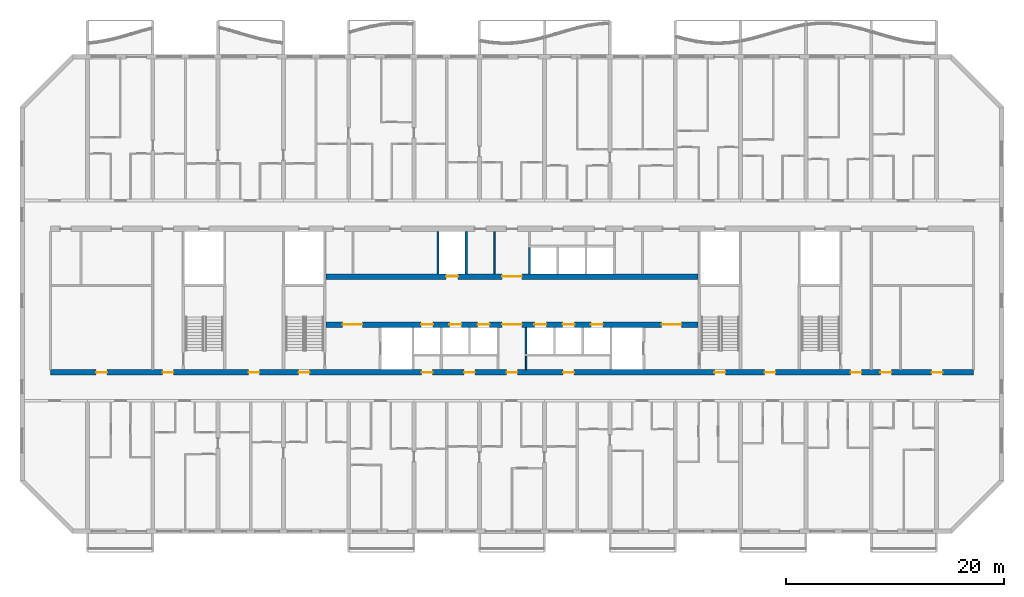
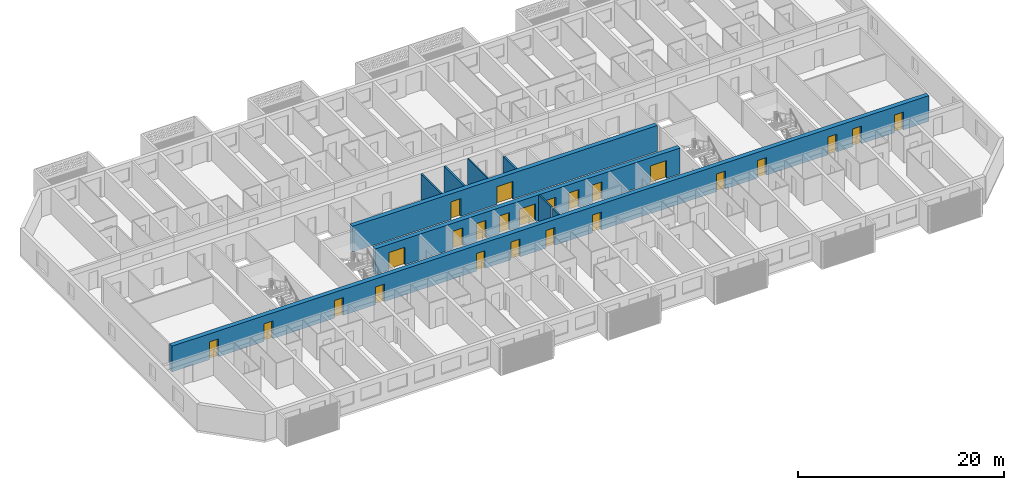
# One storey, part 7 of 27: 24 doors, 9 walls, 24 openings.
"""IFC4 building model written with IfcOpenShell, lengths in metres."""

from ifc_helpers import new_model, si_unit, direction, frame, frame_2d, origin, place, context, subcontext, project, spatial, rectangle, extrude, material, layer, layer_set, type_object, element, fill, save


model = new_model("IFC4")

# Units and contexts
model_context = context("Model", 3, precision=1e-05, world=origin(), true_north=direction((0.0, 1.0)))
body_context = subcontext(model_context, "Body", "Model", "MODEL_VIEW")
ifc_project = project(units=[si_unit("LENGTHUNIT", "METRE"), si_unit("AREAUNIT", "SQUARE_METRE"), si_unit("VOLUMEUNIT", "CUBIC_METRE"), si_unit("PLANEANGLEUNIT", "RADIAN"), si_unit("MASSUNIT", "GRAM", prefix="KILO")], contexts=[model_context])

# Site, building, storey
site_placement = place(None, origin())
site = spatial("IfcSite", under=ifc_project, at=site_placement, CompositionType="ELEMENT")
building_placement = place(site_placement, origin())
building = spatial("IfcBuilding", under=site, at=building_placement, Name="Poui Terraces", CompositionType="ELEMENT")
storey_placement = place(building_placement, frame((0.0, 0.0, 92.699951171875)))
storey = spatial("IfcBuildingStorey", under=building, at=storey_placement, Name="L25", CompositionType="ELEMENT", Elevation=92.699951171875)

# Wall, openings, doors
ifc_material_1 = material(Name="Concrete 65 MPa", Category="concrete")
ifc_layer_1 = layer(ifc_material_1, 0.5)
ifc_layer_set_1 = layer_set([ifc_layer_1], Name="Concrete 65 MPa")
wall_type_1 = type_object("IfcWallType", Name="CORE WALL 500 65 MPA", PredefinedType="SOLIDWALL", material=ifc_layer_set_1)
wall_1_placement = place(storey_placement, frame((33.925048828125, 19.0, 0.0), z_axis=(0.0, 0.0, 1.0), x_axis=(1.0, 0.0, 0.0)))
wall_1 = element("IfcWall", 1, at=wall_1_placement, inside=storey, type_object=wall_type_1, Name="CORE WALL", PredefinedType="SOLIDWALL", context=body_context, shape_type="SweptSolid", body=[
    extrude(rectangle(XDim=34.14990234375, YDim=0.5, at=frame_2d((17.074951171875, 0.0))), origin(), (0.0, 0.0, 1.0), 3.06005859375),
])
opening_1_placement = place(wall_1_placement, frame((16.175048828125, 0.0, 0.0)))
opening_1 = element("IfcOpeningElement", 2, at=opening_1_placement, cuts=wall_1, Name="Opening FDD60", PredefinedType="OPENING", context=body_context, shape_type="SweptSolid", body=[
    extrude(rectangle(XDim=1.800048828125, YDim=2.10009765625, at=frame_2d((0.89990234375, 1.050048828125))), frame((0.0, 0.260009765625, 0.0), z_axis=(0.0, -1.0, 0.0), x_axis=(1.0, 0.0, 0.0)), (0.0, 0.0, 1.0), 0.52001953125),
])
opening_2_placement = place(wall_1_placement, frame((1.52490234375, 0.0, 0.0)))
opening_2 = element("IfcOpeningElement", 3, at=opening_2_placement, cuts=wall_1, Name="Opening FDD60", PredefinedType="OPENING", context=body_context, shape_type="SweptSolid", body=[
    extrude(rectangle(XDim=1.800048828125, YDim=2.10009765625, at=frame_2d((0.89990234375, 1.050048828125))), frame((0.0, 0.260009765625, 0.0), z_axis=(0.0, -1.0, 0.0), x_axis=(1.0, 0.0, 0.0)), (0.0, 0.0, 1.0), 0.52001953125),
])
opening_3_placement = place(wall_1_placement, frame((8.72509765625, 0.0, 0.0)))
opening_3 = element("IfcOpeningElement", 4, at=opening_3_placement, cuts=wall_1, Name="Opening LD", PredefinedType="OPENING", context=body_context, shape_type="SweptSolid", body=[
    extrude(rectangle(XDim=1.10009765625, YDim=2.10009765625, at=frame_2d((0.550048828125, 1.050048828125))), frame((0.0, 0.260009765625, 0.0), z_axis=(0.0, -1.0, 0.0), x_axis=(1.0, 0.0, 0.0)), (0.0, 0.0, 1.0), 0.52001953125),
])
opening_4_placement = place(wall_1_placement, frame((11.324951171875, 0.0, 0.0)))
opening_4 = element("IfcOpeningElement", 5, at=opening_4_placement, cuts=wall_1, Name="Opening LD", PredefinedType="OPENING", context=body_context, shape_type="SweptSolid", body=[
    extrude(rectangle(XDim=1.10009765625, YDim=2.10009765625, at=frame_2d((0.550048828125, 1.050048828125))), frame((0.0, 0.260009765625, 0.0), z_axis=(0.0, -1.0, 0.0), x_axis=(1.0, 0.0, 0.0)), (0.0, 0.0, 1.0), 0.52001953125),
])
opening_5_placement = place(wall_1_placement, frame((13.925048828125, 0.0, 0.0)))
opening_5 = element("IfcOpeningElement", 6, at=opening_5_placement, cuts=wall_1, Name="Opening LD", PredefinedType="OPENING", context=body_context, shape_type="SweptSolid", body=[
    extrude(rectangle(XDim=1.10009765625, YDim=2.10009765625, at=frame_2d((0.550048828125, 1.050048828125))), frame((0.0, 0.260009765625, 0.0), z_axis=(0.0, -1.0, 0.0), x_axis=(1.0, 0.0, 0.0)), (0.0, 0.0, 1.0), 0.52001953125),
])
opening_6_placement = place(wall_1_placement, frame((19.125, 0.0, 0.0)))
opening_6 = element("IfcOpeningElement", 7, at=opening_6_placement, cuts=wall_1, Name="Opening LD", PredefinedType="OPENING", context=body_context, shape_type="SweptSolid", body=[
    extrude(rectangle(XDim=1.10009765625, YDim=2.10009765625, at=frame_2d((0.550048828125, 1.050048828125))), frame((0.0, 0.260009765625, 0.0), z_axis=(0.0, -1.0, 0.0), x_axis=(1.0, 0.0, 0.0)), (0.0, 0.0, 1.0), 0.52001953125),
])
opening_7_placement = place(wall_1_placement, frame((21.72509765625, 0.0, 0.0)))
opening_7 = element("IfcOpeningElement", 8, at=opening_7_placement, cuts=wall_1, Name="Opening LD", PredefinedType="OPENING", context=body_context, shape_type="SweptSolid", body=[
    extrude(rectangle(XDim=1.10009765625, YDim=2.10009765625, at=frame_2d((0.550048828125, 1.050048828125))), frame((0.0, 0.260009765625, 0.0), z_axis=(0.0, -1.0, 0.0), x_axis=(1.0, 0.0, 0.0)), (0.0, 0.0, 1.0), 0.52001953125),
])
opening_8_placement = place(wall_1_placement, frame((24.324951171875, 0.0, 0.0)))
opening_8 = element("IfcOpeningElement", 9, at=opening_8_placement, cuts=wall_1, Name="Opening LD", PredefinedType="OPENING", context=body_context, shape_type="SweptSolid", body=[
    extrude(rectangle(XDim=1.10009765625, YDim=2.10009765625, at=frame_2d((0.550048828125, 1.050048828125))), frame((0.0, 0.260009765625, 0.0), z_axis=(0.0, -1.0, 0.0), x_axis=(1.0, 0.0, 0.0)), (0.0, 0.0, 1.0), 0.52001953125),
])
opening_9_placement = place(wall_1_placement, frame((30.824951171875, 0.0, 0.0)))
opening_9 = element("IfcOpeningElement", 10, at=opening_9_placement, cuts=wall_1, Name="Opening FDD60", PredefinedType="OPENING", context=body_context, shape_type="SweptSolid", body=[
    extrude(rectangle(XDim=1.800048828125, YDim=2.10009765625, at=frame_2d((0.89990234375, 1.050048828125))), frame((0.0, 0.260009765625, 0.0), z_axis=(0.0, -1.0, 0.0), x_axis=(1.0, 0.0, 0.0)), (0.0, 0.0, 1.0), 0.52001953125),
])
ifc_material_2 = material(Name="Steel fire door", Category="steel")
door_type_1 = type_object("IfcDoorType", Name="DOUBLE LOBBY FIRE DOOR 1800 X 2100", OperationType="DOUBLE_DOOR_SINGLE_SWING", PredefinedType="DOOR", material=ifc_material_2)
door_1_placement = place(opening_1_placement, frame((1.800048828125, 0.0, 0.0), z_axis=(0.0, 0.0, 1.0), x_axis=(-1.0, 0.0, 0.0)))
door_1 = element("IfcDoor", 11, at=door_1_placement, inside=storey, type_object=door_type_1, Name="DOUBLE LOBBY FIRE DOOR 137", OperationType="DOUBLE_DOOR_SINGLE_SWING", OverallHeight=2.10009765625, OverallWidth=1.800048828125, PredefinedType="DOOR", context=body_context, shape_type="SweptSolid", body=[
    extrude(rectangle(XDim=1.800048828125, YDim=2.10009765625, at=frame_2d((0.89990234375, 1.050048828125))), frame((0.0, 0.02490234375, 0.0), z_axis=(0.0, -1.0, 0.0), x_axis=(1.0, 0.0, 0.0)), (0.0, 0.0, 1.0), 0.050048828125),
])
fill(opening_1, door_1)
door_2_placement = place(opening_2_placement, origin())
door_2 = element("IfcDoor", 12, at=door_2_placement, inside=storey, type_object=door_type_1, Name="DOUBLE LOBBY FIRE DOOR 138", OperationType="DOUBLE_DOOR_SINGLE_SWING", OverallHeight=2.10009765625, OverallWidth=1.800048828125, PredefinedType="DOOR", context=body_context, shape_type="SweptSolid", body=[
    extrude(rectangle(XDim=1.800048828125, YDim=2.10009765625, at=frame_2d((0.89990234375, 1.050048828125))), frame((0.0, 0.02490234375, 0.0), z_axis=(0.0, -1.0, 0.0), x_axis=(1.0, 0.0, 0.0)), (0.0, 0.0, 1.0), 0.050048828125),
])
fill(opening_2, door_2)
door_3_placement = place(opening_9_placement, origin())
door_3 = element("IfcDoor", 13, at=door_3_placement, inside=storey, type_object=door_type_1, Name="DOUBLE LOBBY FIRE DOOR 146", OperationType="DOUBLE_DOOR_SINGLE_SWING", OverallHeight=2.10009765625, OverallWidth=1.800048828125, PredefinedType="DOOR", context=body_context, shape_type="SweptSolid", body=[
    extrude(rectangle(XDim=1.800048828125, YDim=2.10009765625, at=frame_2d((0.89990234375, 1.050048828125))), frame((0.0, 0.02490234375, 0.0), z_axis=(0.0, -1.0, 0.0), x_axis=(1.0, 0.0, 0.0)), (0.0, 0.0, 1.0), 0.050048828125),
])
fill(opening_9, door_3)
ifc_material_3 = material(Name="Stainless steel sliding door", Category="steel")
door_type_2 = type_object("IfcDoorType", Name="LIFT LANDING DOOR 1100 X 2100", OperationType="DOUBLE_DOOR_SLIDING", PredefinedType="DOOR", material=ifc_material_3)
door_4_placement = place(opening_3_placement, origin())
door_4 = element("IfcDoor", 14, at=door_4_placement, inside=storey, type_object=door_type_2, Name="LANDING DOOR", OperationType="DOUBLE_DOOR_SLIDING", OverallHeight=2.10009765625, OverallWidth=1.10009765625, PredefinedType="DOOR", context=body_context, shape_type="SweptSolid", body=[
    extrude(rectangle(XDim=1.10009765625, YDim=2.10009765625, at=frame_2d((0.550048828125, 1.050048828125))), frame((0.0, 0.02490234375, 0.0), z_axis=(0.0, -1.0, 0.0), x_axis=(1.0, 0.0, 0.0)), (0.0, 0.0, 1.0), 0.050048828125),
])
fill(opening_3, door_4)
door_5_placement = place(opening_4_placement, origin())
door_5 = element("IfcDoor", 15, at=door_5_placement, inside=storey, type_object=door_type_2, Name="LANDING DOOR", OperationType="DOUBLE_DOOR_SLIDING", OverallHeight=2.10009765625, OverallWidth=1.10009765625, PredefinedType="DOOR", context=body_context, shape_type="SweptSolid", body=[
    extrude(rectangle(XDim=1.10009765625, YDim=2.10009765625, at=frame_2d((0.550048828125, 1.050048828125))), frame((0.0, 0.02490234375, 0.0), z_axis=(0.0, -1.0, 0.0), x_axis=(1.0, 0.0, 0.0)), (0.0, 0.0, 1.0), 0.050048828125),
])
fill(opening_4, door_5)
door_6_placement = place(opening_5_placement, origin())
door_6 = element("IfcDoor", 16, at=door_6_placement, inside=storey, type_object=door_type_2, Name="LANDING DOOR", OperationType="DOUBLE_DOOR_SLIDING", OverallHeight=2.10009765625, OverallWidth=1.10009765625, PredefinedType="DOOR", context=body_context, shape_type="SweptSolid", body=[
    extrude(rectangle(XDim=1.10009765625, YDim=2.10009765625, at=frame_2d((0.550048828125, 1.050048828125))), frame((0.0, 0.02490234375, 0.0), z_axis=(0.0, -1.0, 0.0), x_axis=(1.0, 0.0, 0.0)), (0.0, 0.0, 1.0), 0.050048828125),
])
fill(opening_5, door_6)
door_7_placement = place(opening_6_placement, origin())
door_7 = element("IfcDoor", 17, at=door_7_placement, inside=storey, type_object=door_type_2, Name="LANDING DOOR", OperationType="DOUBLE_DOOR_SLIDING", OverallHeight=2.10009765625, OverallWidth=1.10009765625, PredefinedType="DOOR", context=body_context, shape_type="SweptSolid", body=[
    extrude(rectangle(XDim=1.10009765625, YDim=2.10009765625, at=frame_2d((0.550048828125, 1.050048828125))), frame((0.0, 0.02490234375, 0.0), z_axis=(0.0, -1.0, 0.0), x_axis=(1.0, 0.0, 0.0)), (0.0, 0.0, 1.0), 0.050048828125),
])
fill(opening_6, door_7)
door_8_placement = place(opening_7_placement, origin())
door_8 = element("IfcDoor", 18, at=door_8_placement, inside=storey, type_object=door_type_2, Name="LANDING DOOR", OperationType="DOUBLE_DOOR_SLIDING", OverallHeight=2.10009765625, OverallWidth=1.10009765625, PredefinedType="DOOR", context=body_context, shape_type="SweptSolid", body=[
    extrude(rectangle(XDim=1.10009765625, YDim=2.10009765625, at=frame_2d((0.550048828125, 1.050048828125))), frame((0.0, 0.02490234375, 0.0), z_axis=(0.0, -1.0, 0.0), x_axis=(1.0, 0.0, 0.0)), (0.0, 0.0, 1.0), 0.050048828125),
])
fill(opening_7, door_8)
door_9_placement = place(opening_8_placement, origin())
door_9 = element("IfcDoor", 19, at=door_9_placement, inside=storey, type_object=door_type_2, Name="LANDING DOOR", OperationType="DOUBLE_DOOR_SLIDING", OverallHeight=2.10009765625, OverallWidth=1.10009765625, PredefinedType="DOOR", context=body_context, shape_type="SweptSolid", body=[
    extrude(rectangle(XDim=1.10009765625, YDim=2.10009765625, at=frame_2d((0.550048828125, 1.050048828125))), frame((0.0, 0.02490234375, 0.0), z_axis=(0.0, -1.0, 0.0), x_axis=(1.0, 0.0, 0.0)), (0.0, 0.0, 1.0), 0.050048828125),
])
fill(opening_8, door_9)

wall_2_placement = place(storey_placement, frame((33.925048828125, 23.39990234375, 0.0), z_axis=(0.0, 0.0, 1.0), x_axis=(1.0, 0.0, 0.0)))
wall_2 = element("IfcWall", 20, at=wall_2_placement, inside=storey, type_object=wall_type_1, Name="CORE WALL", PredefinedType="SOLIDWALL", context=body_context, shape_type="SweptSolid", body=[
    extrude(rectangle(XDim=34.14990234375, YDim=0.5, at=frame_2d((17.074951171875, 0.0))), origin(), (0.0, 0.0, 1.0), 3.06005859375),
])
opening_10_placement = place(wall_2_placement, frame((16.175048828125, 0.0, 0.0)))
opening_10 = element("IfcOpeningElement", 21, at=opening_10_placement, cuts=wall_2, Name="Opening FDD60", PredefinedType="OPENING", context=body_context, shape_type="SweptSolid", body=[
    extrude(rectangle(XDim=1.800048828125, YDim=2.10009765625, at=frame_2d((0.89990234375, 1.050048828125))), frame((0.0, 0.260009765625, 0.0), z_axis=(0.0, -1.0, 0.0), x_axis=(1.0, 0.0, 0.0)), (0.0, 0.0, 1.0), 0.52001953125),
])
opening_11_placement = place(wall_2_placement, frame((11.02490234375, 0.0, 0.0)))
opening_11 = element("IfcOpeningElement", 22, at=opening_11_placement, cuts=wall_2, Name="Opening LD", PredefinedType="OPENING", context=body_context, shape_type="SweptSolid", body=[
    extrude(rectangle(XDim=1.10009765625, YDim=2.10009765625, at=frame_2d((0.550048828125, 1.050048828125))), frame((0.0, 0.260009765625, 0.0), z_axis=(0.0, -1.0, 0.0), x_axis=(1.0, 0.0, 0.0)), (0.0, 0.0, 1.0), 0.52001953125),
])
door_10_placement = place(opening_10_placement, origin())
door_10 = element("IfcDoor", 23, at=door_10_placement, inside=storey, type_object=door_type_1, Name="DOUBLE LOBBY FIRE DOOR 136", OperationType="DOUBLE_DOOR_SINGLE_SWING", OverallHeight=2.10009765625, OverallWidth=1.800048828125, PredefinedType="DOOR", context=body_context, shape_type="SweptSolid", body=[
    extrude(rectangle(XDim=1.800048828125, YDim=2.10009765625, at=frame_2d((0.89990234375, 1.050048828125))), frame((0.0, 0.02490234375, 0.0), z_axis=(0.0, -1.0, 0.0), x_axis=(1.0, 0.0, 0.0)), (0.0, 0.0, 1.0), 0.050048828125),
])
fill(opening_10, door_10)
door_11_placement = place(opening_11_placement, origin())
door_11 = element("IfcDoor", 24, at=door_11_placement, inside=storey, type_object=door_type_2, Name="LANDING DOOR", OperationType="DOUBLE_DOOR_SLIDING", OverallHeight=2.10009765625, OverallWidth=1.10009765625, PredefinedType="DOOR", context=body_context, shape_type="SweptSolid", body=[
    extrude(rectangle(XDim=1.10009765625, YDim=2.10009765625, at=frame_2d((0.550048828125, 1.050048828125))), frame((0.0, 0.02490234375, 0.0), z_axis=(0.0, -1.0, 0.0), x_axis=(1.0, 0.0, 0.0)), (0.0, 0.0, 1.0), 0.050048828125),
])
fill(opening_11, door_11)

# Walls
ifc_material_4 = material(Name="Fire-rated plasterboard wall")
ifc_layer_2 = layer(ifc_material_4, 0.14990234375)
ifc_layer_set_2 = layer_set([ifc_layer_2], Name="Fire-rated plasterboard wall")
wall_type_2 = type_object("IfcWallType", Name="CORRIDOR WALL 150", PredefinedType="PARTITIONING", material=ifc_layer_set_2)
wall_3_placement = place(storey_placement, frame((49.39990234375, 23.659912109375, 0.0), z_axis=(0.0, 0.0, 1.0), x_axis=(0.0, 1.0, 0.0)))
element("IfcWall", 25, at=wall_3_placement, inside=storey, type_object=wall_type_2, Name="CORRIDOR WALL 150", PredefinedType="PARTITIONING", context=body_context, shape_type="SweptSolid", body=[
    extrude(rectangle(XDim=3.880126953125, YDim=0.14990234375, at=frame_2d((1.93994140625, 0.0))), origin(), (0.0, 0.0, 1.0), 3.06005859375),
])
wall_4_placement = place(storey_placement, frame((52.300048828125, 14.860107421875, 0.0), z_axis=(0.0, 0.0, 1.0), x_axis=(0.0, 1.0, 0.0)))
element("IfcWall", 26, at=wall_4_placement, inside=storey, type_object=wall_type_2, Name="CORRIDOR WALL 150", PredefinedType="PARTITIONING", context=body_context, shape_type="SweptSolid", body=[
    extrude(rectangle(XDim=1.239990234375, YDim=0.14990234375, at=frame_2d((0.6201171875, 0.0))), origin(), (0.0, 0.0, 1.0), 3.06005859375),
])
ifc_material_5 = material(Name="Fire-rated masonry shaft wall", Category="masonry")
ifc_layer_3 = layer(ifc_material_5, 0.199951171875)
ifc_layer_set_3 = layer_set([ifc_layer_3], Name="Fire-rated masonry shaft wall")
wall_type_3 = type_object("IfcWallType", Name="SHAFT WALL 200", PredefinedType="PARTITIONING", material=ifc_layer_set_3)
for number, where, z_axis, x_axis, name in (
    (27, (44.199951171875, 23.659912109375, 0.0), (0.0, 0.0, 1.0), (0.0, 1.0, 0.0), "SHAFT WALL 200"),
    (28, (46.800048828125, 23.659912109375, 0.0), (0.0, 0.0, 1.0), (0.0, 1.0, 0.0), "SHAFT WALL 200"),
):
    element("IfcWall", number, at=place(storey_placement, frame(where, z_axis=z_axis, x_axis=x_axis)), inside=storey, type_object=wall_type_3, Name=name, PredefinedType="PARTITIONING", context=body_context, shape_type="SweptSolid", body=[
        extrude(rectangle(XDim=3.880126953125, YDim=0.199951171875, at=frame_2d((1.93994140625, 0.0))), origin(), (0.0, 0.0, 1.0), 3.06005859375),
    ])
wall_5_placement = place(storey_placement, frame((52.300048828125, 16.300048828125, 0.0), z_axis=(0.0, 0.0, 1.0), x_axis=(0.0, 1.0, 0.0)))
element("IfcWall", 29, at=wall_5_placement, inside=storey, type_object=wall_type_3, Name="SHAFT WALL 200", PredefinedType="PARTITIONING", context=body_context, shape_type="SweptSolid", body=[
    extrude(rectangle(XDim=2.43994140625, YDim=0.199951171875, at=frame_2d((1.219970703125, 0.0))), origin(), (0.0, 0.0, 1.0), 3.06005859375),
])
wall_6_placement = place(storey_placement, frame((52.60009765625, 23.659912109375, 0.0), z_axis=(0.0, 0.0, 1.0), x_axis=(0.0, 1.0, 0.0)))
element("IfcWall", 30, at=wall_6_placement, inside=storey, type_object=wall_type_3, Name="SHAFT WALL 200", PredefinedType="PARTITIONING", context=body_context, shape_type="SweptSolid", body=[
    extrude(rectangle(XDim=2.440185546875, YDim=0.199951171875, at=frame_2d((1.22021484375, 0.0))), origin(), (0.0, 0.0, 1.0), 3.06005859375),
])

# Wall, openings, doors
ifc_layer_4 = layer(ifc_material_1, 0.5)
ifc_layer_set_4 = layer_set([ifc_layer_4], Name="Concrete 65 MPa")
wall_type_4 = type_object("IfcWallType", Name="SPINE WALL 500 65 MPA", PredefinedType="SOLIDWALL", material=ifc_layer_set_4)
wall_7_placement = place(storey_placement, frame((8.60009765625, 14.60009765625, 0.0), z_axis=(0.0, 0.0, 1.0), x_axis=(1.0, 0.0, 0.0)))
wall_7 = element("IfcWall", 31, at=wall_7_placement, inside=storey, type_object=wall_type_4, Name="SPINE WALL", PredefinedType="SOLIDWALL", context=body_context, shape_type="SweptSolid", body=[
    extrude(rectangle(XDim=84.7998046875, YDim=0.5, at=frame_2d((42.39990234375, 0.0))), origin(), (0.0, 0.0, 1.0), 3.06005859375),
])
opening_12_placement = place(wall_7_placement, frame((4.199951171875, 0.0, 0.0)))
opening_12 = element("IfcOpeningElement", 32, at=opening_12_placement, cuts=wall_7, Name="Opening FD60", PredefinedType="OPENING", context=body_context, shape_type="SweptSolid", body=[
    extrude(rectangle(XDim=1.0, YDim=2.10009765625, at=frame_2d((0.5, 1.050048828125))), frame((0.0, 0.260009765625, 0.0), z_axis=(0.0, -1.0, 0.0), x_axis=(1.0, 0.0, 0.0)), (0.0, 0.0, 1.0), 0.52001953125),
])
opening_13_placement = place(wall_7_placement, frame((10.300048828125, 0.0, 0.0)))
opening_13 = element("IfcOpeningElement", 33, at=opening_13_placement, cuts=wall_7, Name="Opening FDL", PredefinedType="OPENING", context=body_context, shape_type="SweptSolid", body=[
    extrude(rectangle(XDim=1.0, YDim=2.10009765625, at=frame_2d((0.5, 1.050048828125))), frame((0.0, 0.260009765625, 0.0), z_axis=(0.0, -1.0, 0.0), x_axis=(1.0, 0.0, 0.0)), (0.0, 0.0, 1.0), 0.52001953125),
])
opening_14_placement = place(wall_7_placement, frame((18.199951171875, 0.0, 0.0)))
opening_14 = element("IfcOpeningElement", 34, at=opening_14_placement, cuts=wall_7, Name="Opening D100", PredefinedType="OPENING", context=body_context, shape_type="SweptSolid", body=[
    extrude(rectangle(XDim=1.0, YDim=2.10009765625, at=frame_2d((0.5, 1.050048828125))), frame((0.0, 0.260009765625, 0.0), z_axis=(0.0, -1.0, 0.0), x_axis=(1.0, 0.0, 0.0)), (0.0, 0.0, 1.0), 0.52001953125),
])
opening_15_placement = place(wall_7_placement, frame((22.800048828125, 0.0, 0.0)))
opening_15 = element("IfcOpeningElement", 35, at=opening_15_placement, cuts=wall_7, Name="Opening FD60S", PredefinedType="OPENING", context=body_context, shape_type="SweptSolid", body=[
    extrude(rectangle(XDim=1.0, YDim=2.10009765625, at=frame_2d((0.5, 1.050048828125))), frame((0.0, 0.260009765625, 0.0), z_axis=(0.0, -1.0, 0.0), x_axis=(1.0, 0.0, 0.0)), (0.0, 0.0, 1.0), 0.52001953125),
])
opening_16_placement = place(wall_7_placement, frame((34.10009765625, 0.0, 0.0)))
opening_16 = element("IfcOpeningElement", 36, at=opening_16_placement, cuts=wall_7, Name="Opening FD60", PredefinedType="OPENING", context=body_context, shape_type="SweptSolid", body=[
    extrude(rectangle(XDim=1.0, YDim=2.10009765625, at=frame_2d((0.5, 1.050048828125))), frame((0.0, 0.260009765625, 0.0), z_axis=(0.0, -1.0, 0.0), x_axis=(1.0, 0.0, 0.0)), (0.0, 0.0, 1.0), 0.52001953125),
])
opening_17_placement = place(wall_7_placement, frame((38.0, 0.0, 0.0)))
opening_17 = element("IfcOpeningElement", 37, at=opening_17_placement, cuts=wall_7, Name="Opening FD60", PredefinedType="OPENING", context=body_context, shape_type="SweptSolid", body=[
    extrude(rectangle(XDim=1.0, YDim=2.10009765625, at=frame_2d((0.5, 1.050048828125))), frame((0.0, 0.260009765625, 0.0), z_axis=(0.0, -1.0, 0.0), x_axis=(1.0, 0.0, 0.0)), (0.0, 0.0, 1.0), 0.52001953125),
])
opening_18_placement = place(wall_7_placement, frame((41.89990234375, 0.0, 0.0)))
opening_18 = element("IfcOpeningElement", 38, at=opening_18_placement, cuts=wall_7, Name="Opening FDL", PredefinedType="OPENING", context=body_context, shape_type="SweptSolid", body=[
    extrude(rectangle(XDim=1.0, YDim=2.10009765625, at=frame_2d((0.5, 1.050048828125))), frame((0.0, 0.260009765625, 0.0), z_axis=(0.0, -1.0, 0.0), x_axis=(1.0, 0.0, 0.0)), (0.0, 0.0, 1.0), 0.52001953125),
])
opening_19_placement = place(wall_7_placement, frame((47.10009765625, 0.0, 0.0)))
opening_19 = element("IfcOpeningElement", 39, at=opening_19_placement, cuts=wall_7, Name="Opening FD60", PredefinedType="OPENING", context=body_context, shape_type="SweptSolid", body=[
    extrude(rectangle(XDim=1.0, YDim=2.10009765625, at=frame_2d((0.5, 1.050048828125))), frame((0.0, 0.260009765625, 0.0), z_axis=(0.0, -1.0, 0.0), x_axis=(1.0, 0.0, 0.0)), (0.0, 0.0, 1.0), 0.52001953125),
])
opening_20_placement = place(wall_7_placement, frame((61.0, 0.0, 0.0)))
opening_20 = element("IfcOpeningElement", 40, at=opening_20_placement, cuts=wall_7, Name="Opening FD60S", PredefinedType="OPENING", context=body_context, shape_type="SweptSolid", body=[
    extrude(rectangle(XDim=1.0, YDim=2.10009765625, at=frame_2d((0.5, 1.050048828125))), frame((0.0, 0.260009765625, 0.0), z_axis=(0.0, -1.0, 0.0), x_axis=(1.0, 0.0, 0.0)), (0.0, 0.0, 1.0), 0.52001953125),
])
opening_21_placement = place(wall_7_placement, frame((65.60009765625, 0.0, 0.0)))
opening_21 = element("IfcOpeningElement", 41, at=opening_21_placement, cuts=wall_7, Name="Opening D100", PredefinedType="OPENING", context=body_context, shape_type="SweptSolid", body=[
    extrude(rectangle(XDim=1.0, YDim=2.10009765625, at=frame_2d((0.5, 1.050048828125))), frame((0.0, 0.260009765625, 0.0), z_axis=(0.0, -1.0, 0.0), x_axis=(1.0, 0.0, 0.0)), (0.0, 0.0, 1.0), 0.52001953125),
])
opening_22_placement = place(wall_7_placement, frame((73.5, 0.0, 0.0)))
opening_22 = element("IfcOpeningElement", 42, at=opening_22_placement, cuts=wall_7, Name="Opening FDL", PredefinedType="OPENING", context=body_context, shape_type="SweptSolid", body=[
    extrude(rectangle(XDim=1.0, YDim=2.10009765625, at=frame_2d((0.5, 1.050048828125))), frame((0.0, 0.260009765625, 0.0), z_axis=(0.0, -1.0, 0.0), x_axis=(1.0, 0.0, 0.0)), (0.0, 0.0, 1.0), 0.52001953125),
])
opening_23_placement = place(wall_7_placement, frame((76.25, 0.0, 0.0)))
opening_23 = element("IfcOpeningElement", 43, at=opening_23_placement, cuts=wall_7, Name="Opening FD60", PredefinedType="OPENING", context=body_context, shape_type="SweptSolid", body=[
    extrude(rectangle(XDim=1.0, YDim=2.10009765625, at=frame_2d((0.5, 1.050048828125))), frame((0.0, 0.260009765625, 0.0), z_axis=(0.0, -1.0, 0.0), x_axis=(1.0, 0.0, 0.0)), (0.0, 0.0, 1.0), 0.52001953125),
])
opening_24_placement = place(wall_7_placement, frame((80.949951171875, 0.0, 0.0)))
opening_24 = element("IfcOpeningElement", 44, at=opening_24_placement, cuts=wall_7, Name="Opening FD60", PredefinedType="OPENING", context=body_context, shape_type="SweptSolid", body=[
    extrude(rectangle(XDim=1.0, YDim=2.10009765625, at=frame_2d((0.5, 1.050048828125))), frame((0.0, 0.260009765625, 0.0), z_axis=(0.0, -1.0, 0.0), x_axis=(1.0, 0.0, 0.0)), (0.0, 0.0, 1.0), 0.52001953125),
])
ifc_material_6 = material(Name="Solid core timber door", Category="wood")
door_type_3 = type_object("IfcDoorType", Name="ACCESSIBLE INTERNAL DOOR 1000 X 2100", OperationType="NOTDEFINED", PredefinedType="DOOR", material=ifc_material_6)
door_12_placement = place(opening_14_placement, frame((1.0, 0.0, 0.0), z_axis=(0.0, 0.0, 1.0), x_axis=(-1.0, 0.0, 0.0)))
door_12 = element("IfcDoor", 45, at=door_12_placement, inside=storey, type_object=door_type_3, Name="ACCESSIBLE INTERNAL DOOR 020", OperationType="SINGLE_SWING_LEFT", OverallHeight=2.10009765625, OverallWidth=1.0, PredefinedType="DOOR", context=body_context, shape_type="SweptSolid", body=[
    extrude(rectangle(XDim=1.0, YDim=2.10009765625, at=frame_2d((0.5, 1.050048828125))), frame((0.0, 0.02490234375, 0.0), z_axis=(0.0, -1.0, 0.0), x_axis=(1.0, 0.0, 0.0)), (0.0, 0.0, 1.0), 0.050048828125),
])
fill(opening_14, door_12)
door_13_placement = place(opening_21_placement, frame((1.0, 0.0, 0.0), z_axis=(0.0, 0.0, 1.0), x_axis=(-1.0, 0.0, 0.0)))
door_13 = element("IfcDoor", 46, at=door_13_placement, inside=storey, type_object=door_type_3, Name="ACCESSIBLE INTERNAL DOOR 027", OperationType="SINGLE_SWING_RIGHT", OverallHeight=2.10009765625, OverallWidth=1.0, PredefinedType="DOOR", context=body_context, shape_type="SweptSolid", body=[
    extrude(rectangle(XDim=1.0, YDim=2.10009765625, at=frame_2d((0.5, 1.050048828125))), frame((0.0, 0.02490234375, 0.0), z_axis=(0.0, -1.0, 0.0), x_axis=(1.0, 0.0, 0.0)), (0.0, 0.0, 1.0), 0.050048828125),
])
fill(opening_21, door_13)
door_type_4 = type_object("IfcDoorType", Name="LOBBY FIRE DOOR 1000 X 2100", OperationType="NOTDEFINED", PredefinedType="DOOR", material=ifc_material_2)
door_14_placement = place(opening_13_placement, frame((1.0, 0.0, 0.0), z_axis=(0.0, 0.0, 1.0), x_axis=(-1.0, 0.0, 0.0)))
door_14 = element("IfcDoor", 47, at=door_14_placement, inside=storey, type_object=door_type_4, Name="LOBBY FIRE DOOR 019", OperationType="SINGLE_SWING_RIGHT", OverallHeight=2.10009765625, OverallWidth=1.0, PredefinedType="DOOR", context=body_context, shape_type="SweptSolid", body=[
    extrude(rectangle(XDim=1.0, YDim=2.10009765625, at=frame_2d((0.5, 1.050048828125))), frame((0.0, 0.02490234375, 0.0), z_axis=(0.0, -1.0, 0.0), x_axis=(1.0, 0.0, 0.0)), (0.0, 0.0, 1.0), 0.050048828125),
])
fill(opening_13, door_14)
door_15_placement = place(opening_18_placement, frame((1.0, 0.0, 0.0), z_axis=(0.0, 0.0, 1.0), x_axis=(-1.0, 0.0, 0.0)))
door_15 = element("IfcDoor", 48, at=door_15_placement, inside=storey, type_object=door_type_4, Name="LOBBY FIRE DOOR 024", OperationType="SINGLE_SWING_LEFT", OverallHeight=2.10009765625, OverallWidth=1.0, PredefinedType="DOOR", context=body_context, shape_type="SweptSolid", body=[
    extrude(rectangle(XDim=1.0, YDim=2.10009765625, at=frame_2d((0.5, 1.050048828125))), frame((0.0, 0.02490234375, 0.0), z_axis=(0.0, -1.0, 0.0), x_axis=(1.0, 0.0, 0.0)), (0.0, 0.0, 1.0), 0.050048828125),
])
fill(opening_18, door_15)
door_16_placement = place(opening_22_placement, frame((1.0, 0.0, 0.0), z_axis=(0.0, 0.0, 1.0), x_axis=(-1.0, 0.0, 0.0)))
door_16 = element("IfcDoor", 49, at=door_16_placement, inside=storey, type_object=door_type_4, Name="LOBBY FIRE DOOR 028", OperationType="SINGLE_SWING_LEFT", OverallHeight=2.10009765625, OverallWidth=1.0, PredefinedType="DOOR", context=body_context, shape_type="SweptSolid", body=[
    extrude(rectangle(XDim=1.0, YDim=2.10009765625, at=frame_2d((0.5, 1.050048828125))), frame((0.0, 0.02490234375, 0.0), z_axis=(0.0, -1.0, 0.0), x_axis=(1.0, 0.0, 0.0)), (0.0, 0.0, 1.0), 0.050048828125),
])
fill(opening_22, door_16)
door_type_5 = type_object("IfcDoorType", Name="SERVICE ROOM FIRE DOOR 1000 X 2100", OperationType="NOTDEFINED", PredefinedType="DOOR", material=ifc_material_2)
door_17_placement = place(opening_12_placement, frame((1.0, 0.0, 0.0), z_axis=(0.0, 0.0, 1.0), x_axis=(-1.0, 0.0, 0.0)))
door_17 = element("IfcDoor", 50, at=door_17_placement, inside=storey, type_object=door_type_5, Name="SERVICE ROOM FIRE DOOR 018", OperationType="SINGLE_SWING_LEFT", OverallHeight=2.10009765625, OverallWidth=1.0, PredefinedType="DOOR", context=body_context, shape_type="SweptSolid", body=[
    extrude(rectangle(XDim=1.0, YDim=2.10009765625, at=frame_2d((0.5, 1.050048828125))), frame((0.0, 0.02490234375, 0.0), z_axis=(0.0, -1.0, 0.0), x_axis=(1.0, 0.0, 0.0)), (0.0, 0.0, 1.0), 0.050048828125),
])
fill(opening_12, door_17)
door_18_placement = place(opening_16_placement, frame((1.0, 0.0, 0.0), z_axis=(0.0, 0.0, 1.0), x_axis=(-1.0, 0.0, 0.0)))
door_18 = element("IfcDoor", 51, at=door_18_placement, inside=storey, type_object=door_type_5, Name="SERVICE ROOM FIRE DOOR 022", OperationType="SINGLE_SWING_LEFT", OverallHeight=2.10009765625, OverallWidth=1.0, PredefinedType="DOOR", context=body_context, shape_type="SweptSolid", body=[
    extrude(rectangle(XDim=1.0, YDim=2.10009765625, at=frame_2d((0.5, 1.050048828125))), frame((0.0, 0.02490234375, 0.0), z_axis=(0.0, -1.0, 0.0), x_axis=(1.0, 0.0, 0.0)), (0.0, 0.0, 1.0), 0.050048828125),
])
fill(opening_16, door_18)
door_19_placement = place(opening_17_placement, frame((1.0, 0.0, 0.0), z_axis=(0.0, 0.0, 1.0), x_axis=(-1.0, 0.0, 0.0)))
door_19 = element("IfcDoor", 52, at=door_19_placement, inside=storey, type_object=door_type_5, Name="SERVICE ROOM FIRE DOOR 023", OperationType="SINGLE_SWING_RIGHT", OverallHeight=2.10009765625, OverallWidth=1.0, PredefinedType="DOOR", context=body_context, shape_type="SweptSolid", body=[
    extrude(rectangle(XDim=1.0, YDim=2.10009765625, at=frame_2d((0.5, 1.050048828125))), frame((0.0, 0.02490234375, 0.0), z_axis=(0.0, -1.0, 0.0), x_axis=(1.0, 0.0, 0.0)), (0.0, 0.0, 1.0), 0.050048828125),
])
fill(opening_17, door_19)
door_20_placement = place(opening_19_placement, frame((1.0, 0.0, 0.0), z_axis=(0.0, 0.0, 1.0), x_axis=(-1.0, 0.0, 0.0)))
door_20 = element("IfcDoor", 53, at=door_20_placement, inside=storey, type_object=door_type_5, Name="SERVICE ROOM FIRE DOOR 025", OperationType="SINGLE_SWING_LEFT", OverallHeight=2.10009765625, OverallWidth=1.0, PredefinedType="DOOR", context=body_context, shape_type="SweptSolid", body=[
    extrude(rectangle(XDim=1.0, YDim=2.10009765625, at=frame_2d((0.5, 1.050048828125))), frame((0.0, 0.02490234375, 0.0), z_axis=(0.0, -1.0, 0.0), x_axis=(1.0, 0.0, 0.0)), (0.0, 0.0, 1.0), 0.050048828125),
])
fill(opening_19, door_20)
door_21_placement = place(opening_23_placement, frame((1.0, 0.0, 0.0), z_axis=(0.0, 0.0, 1.0), x_axis=(-1.0, 0.0, 0.0)))
door_21 = element("IfcDoor", 54, at=door_21_placement, inside=storey, type_object=door_type_5, Name="SERVICE ROOM FIRE DOOR 029", OperationType="SINGLE_SWING_RIGHT", OverallHeight=2.10009765625, OverallWidth=1.0, PredefinedType="DOOR", context=body_context, shape_type="SweptSolid", body=[
    extrude(rectangle(XDim=1.0, YDim=2.10009765625, at=frame_2d((0.5, 1.050048828125))), frame((0.0, 0.02490234375, 0.0), z_axis=(0.0, -1.0, 0.0), x_axis=(1.0, 0.0, 0.0)), (0.0, 0.0, 1.0), 0.050048828125),
])
fill(opening_23, door_21)
door_22_placement = place(opening_24_placement, frame((1.0, 0.0, 0.0), z_axis=(0.0, 0.0, 1.0), x_axis=(-1.0, 0.0, 0.0)))
door_22 = element("IfcDoor", 55, at=door_22_placement, inside=storey, type_object=door_type_5, Name="SERVICE ROOM FIRE DOOR 030", OperationType="SINGLE_SWING_LEFT", OverallHeight=2.10009765625, OverallWidth=1.0, PredefinedType="DOOR", context=body_context, shape_type="SweptSolid", body=[
    extrude(rectangle(XDim=1.0, YDim=2.10009765625, at=frame_2d((0.5, 1.050048828125))), frame((0.0, 0.02490234375, 0.0), z_axis=(0.0, -1.0, 0.0), x_axis=(1.0, 0.0, 0.0)), (0.0, 0.0, 1.0), 0.050048828125),
])
fill(opening_24, door_22)
door_type_6 = type_object("IfcDoorType", Name="STAIR DOOR 1000 X 2100", OperationType="NOTDEFINED", PredefinedType="DOOR", material=ifc_material_2)
door_23_placement = place(opening_15_placement, origin())
door_23 = element("IfcDoor", 56, at=door_23_placement, inside=storey, type_object=door_type_6, Name="STAIR DOOR 021", OperationType="SINGLE_SWING_RIGHT", OverallHeight=2.10009765625, OverallWidth=1.0, PredefinedType="DOOR", context=body_context, shape_type="SweptSolid", body=[
    extrude(rectangle(XDim=1.0, YDim=2.10009765625, at=frame_2d((0.5, 1.050048828125))), frame((0.0, 0.02490234375, 0.0), z_axis=(0.0, -1.0, 0.0), x_axis=(1.0, 0.0, 0.0)), (0.0, 0.0, 1.0), 0.050048828125),
])
fill(opening_15, door_23)
door_24_placement = place(opening_20_placement, origin())
door_24 = element("IfcDoor", 57, at=door_24_placement, inside=storey, type_object=door_type_6, Name="STAIR DOOR 026", OperationType="SINGLE_SWING_RIGHT", OverallHeight=2.10009765625, OverallWidth=1.0, PredefinedType="DOOR", context=body_context, shape_type="SweptSolid", body=[
    extrude(rectangle(XDim=1.0, YDim=2.10009765625, at=frame_2d((0.5, 1.050048828125))), frame((0.0, 0.02490234375, 0.0), z_axis=(0.0, -1.0, 0.0), x_axis=(1.0, 0.0, 0.0)), (0.0, 0.0, 1.0), 0.050048828125),
])
fill(opening_20, door_24)

save(model, "model.ifc")
